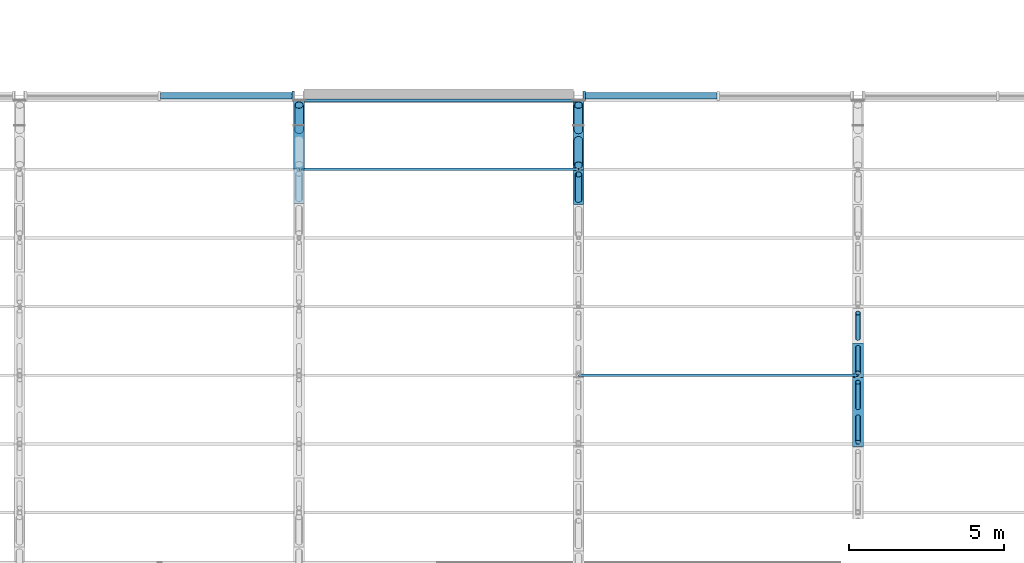
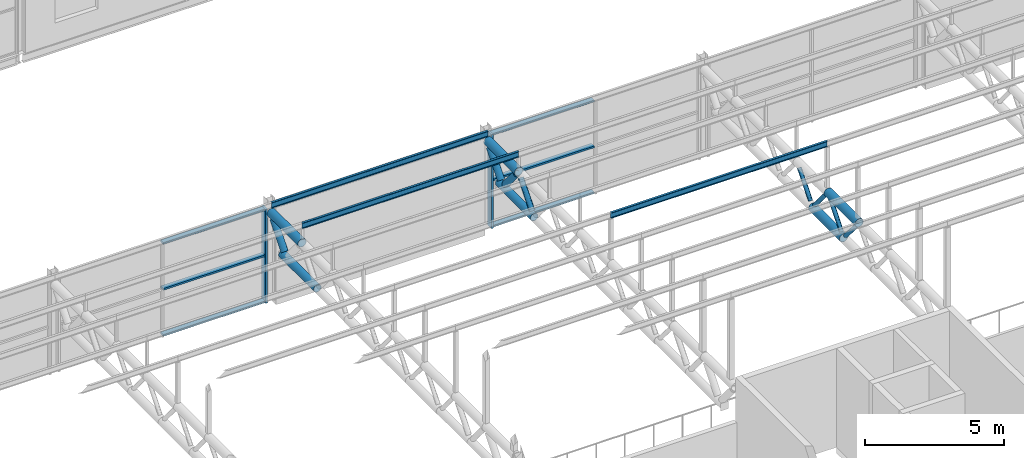
# One storey, part 36 of 138: 25 members, 2 elements without a shape of their own.
"""IFC4 building model written with IfcOpenShell, lengths in metres."""

from ifc_helpers import new_model, si_unit, direction, frame, origin, origin_2d, place, context, subcontext, project, spatial, rectangle, hollow_circle, i_section, extrude, material, layer, layer_set, material_profile, profile_set, type_object, element, aggregate, save


model = new_model("IFC4")

# Units and contexts
model_context = context("Model", 3, precision=1e-05, world=origin(), true_north=direction((0.0, 1.0)))
body_context = subcontext(model_context, "Body", "Model", "MODEL_VIEW")
ifc_project = project(units=[si_unit("LENGTHUNIT", "METRE"), si_unit("AREAUNIT", "SQUARE_METRE"), si_unit("VOLUMEUNIT", "CUBIC_METRE"), si_unit("PLANEANGLEUNIT", "RADIAN"), si_unit("MASSUNIT", "GRAM", prefix="KILO")], contexts=[model_context])

# Site, building, storey
site_placement = place(None, origin())
site = spatial("IfcSite", under=ifc_project, at=site_placement, CompositionType="ELEMENT")
building_placement = place(site_placement, origin())
building = spatial("IfcBuilding", under=site, at=building_placement, Name="Corbel Yard City Hall", CompositionType="ELEMENT")
storey_placement = place(building_placement, frame((0.0, 0.0, 10.5)))
storey = spatial("IfcBuildingStorey", under=building, at=storey_placement, Name="L02", CompositionType="ELEMENT", Elevation=10.5)

# Members
ifc_material_1 = material(Name="Steel Grade 300 (300 MPa yield)", Category="steel")
ifc_material_profile_1 = material_profile(ifc_material_1, i_section(OverallWidth=0.090087890625, OverallDepth=0.25, WebThickness=0.008056640625, FlangeThickness=0.014892578125, at=origin_2d()), Name="250PFC")
ifc_profile_set_1 = profile_set([ifc_material_profile_1], Name="Steel Grade 300 (300 MPa yield)")
member_type_1 = type_object("IfcMemberType", Name="Eaves purlin 250PFC", PredefinedType="PURLIN", material=ifc_profile_set_1)
member_1_placement = place(storey_placement, frame((36.0, 26.847412109375, 4.24658203125), z_axis=(1.0, 0.0, 0.0), x_axis=(0.0, 1.0, 0.0)))
element("IfcMember", 1, at=member_1_placement, inside=storey, type_object=member_type_1, Name="Eaves purlin 250PFC PU2", PredefinedType="PURLIN", context=body_context, shape_type="SweptSolid", body=[
    extrude(i_section(OverallWidth=0.090087890625, OverallDepth=0.25, WebThickness=0.008056640625, FlangeThickness=0.014892578125, at=origin_2d()), origin(), (0.0, 0.0, 1.0), 9.0),
])
ifc_material_2 = material(Name="Steel Grade C350L0", Category="steel")
ifc_material_profile_2 = material_profile(ifc_material_2, hollow_circle(Radius=0.161865234375, WallThickness=0.0126953125, at=origin_2d()), Name="323.9x12.7CHS")
ifc_profile_set_2 = profile_set([ifc_material_profile_2], Name="Steel Grade C350L0")
member_type_2 = type_object("IfcMemberType", Name="Hall roof truss bottom chord 323.9x12.7CHS", PredefinedType="CHORD", material=ifc_profile_set_2)
member_2_placement = place(storey_placement, frame((36.0, 23.52978515625, 2.59228515625), z_axis=(0.0, 1.0, 0.0), x_axis=(-1.0, 0.0, 0.0)))
element("IfcMember", 2, at=member_2_placement, inside=storey, type_object=member_type_2, Name="Hall roof truss bottom chord 323.9x12.7CHS TC2", PredefinedType="CHORD", context=body_context, shape_type="SweptSolid", body=[
    extrude(hollow_circle(Radius=0.161865234375, WallThickness=0.0126953125, at=origin_2d()), origin(), (0.0, 0.0, 1.0), 2.51171875),
])
member_3_placement = place(storey_placement, frame((45.0, 23.5009765625, 2.59228515625), z_axis=(0.0, 1.0, 0.0), x_axis=(-1.0, 0.0, 0.0)))
element("IfcMember", 3, at=member_3_placement, inside=storey, type_object=member_type_2, Name="Hall roof truss bottom chord 323.9x12.7CHS TC2", PredefinedType="CHORD", context=body_context, shape_type="SweptSolid", body=[
    extrude(hollow_circle(Radius=0.161865234375, WallThickness=0.0126953125, at=origin_2d()), origin(), (0.0, 0.0, 1.0), 2.531005859375),
])
ifc_material_profile_3 = material_profile(ifc_material_2, hollow_circle(Radius=0.177734375, WallThickness=0.0126953125, at=origin_2d()), Name="355.6x12.7CHS")
ifc_profile_set_3 = profile_set([ifc_material_profile_3], Name="Steel Grade C350L0")
member_type_3 = type_object("IfcMemberType", Name="Hall roof truss bottom chord 355.6x12.7CHS", PredefinedType="CHORD", material=ifc_profile_set_3)
member_4_placement = place(storey_placement, frame((54.0, 16.808349609375, 2.59228515625), z_axis=(0.0, 1.0, 0.0), x_axis=(-1.0, 0.0, 0.0)))
element("IfcMember", 4, at=member_4_placement, inside=storey, type_object=member_type_3, Name="Hall roof truss bottom chord 355.6x12.7CHS TC3", PredefinedType="CHORD", context=body_context, shape_type="SweptSolid", body=[
    extrude(hollow_circle(Radius=0.177734375, WallThickness=0.0126953125, at=origin_2d()), origin(), (0.0, 0.0, 1.0), 2.23095703125),
])
ifc_material_profile_4 = material_profile(ifc_material_2, hollow_circle(Radius=0.084228515625, WallThickness=0.007080078125, at=origin_2d()), Name="168.3x7.1CHS")
ifc_profile_set_4 = profile_set([ifc_material_profile_4], Name="Steel Grade C350L0")
member_type_4 = type_object("IfcMemberType", Name="Hall roof truss diagonal 168.3x7.1CHS", PredefinedType="STRUT", material=ifc_profile_set_4)
for number, where, z_axis, x_axis, name in (
    (5, (54.0, 15.842041015625, 3.744384765625), (0.0, 0.64257954038, -0.766218985855), (-1.0, 0.0, 0.0), "Hall roof truss diagonal 168.3x7.1CHS TD3"),
    (6, (54.0, 16.95751953125, 2.77001953125), (0.0, 0.64257954038, 0.766218985855), (-1.0, 0.0, 0.0), "Hall roof truss diagonal 168.3x7.1CHS TD3"),
    (7, (54.0, 18.07275390625, 3.744384765625), (0.0, 0.642692233301, -0.766124463292), (-1.0, 0.0, 0.0), "Hall roof truss diagonal 168.3x7.1CHS TD3"),
    (8, (54.0, 19.188232421875, 2.77001953125), (0.0, 0.642692233301, 0.766124463292), (-1.0, 0.0, 0.0), "Hall roof truss diagonal 168.3x7.1CHS TD3"),
):
    element("IfcMember", number, at=place(storey_placement, frame(where, z_axis=z_axis, x_axis=x_axis)), inside=storey, type_object=member_type_4, Name=name, PredefinedType="STRUT", context=body_context, shape_type="SweptSolid", body=[
        extrude(hollow_circle(Radius=0.084228515625, WallThickness=0.007080078125, at=origin_2d()), origin(), (0.0, 0.0, 1.0), 1.271728515625),
    ])
ifc_material_profile_5 = material_profile(ifc_material_2, hollow_circle(Radius=0.109619140625, WallThickness=0.00830078125, at=origin_2d()), Name="219.1x8.2CHS")
ifc_profile_set_5 = profile_set([ifc_material_profile_5], Name="Steel Grade C350L0")
member_type_5 = type_object("IfcMemberType", Name="Hall roof truss diagonal 219.1x8.2CHS", PredefinedType="STRUT", material=ifc_profile_set_5)
member_5_placement = place(storey_placement, frame((45.0, 23.650146484375, 2.77001953125), z_axis=(0.0, 0.642692233301, 0.766124463292), x_axis=(-1.0, 0.0, 0.0)))
element("IfcMember", 9, at=member_5_placement, inside=storey, type_object=member_type_5, Name="Hall roof truss diagonal 219.1x8.2CHS TD2", PredefinedType="STRUT", context=body_context, shape_type="SweptSolid", body=[
    extrude(hollow_circle(Radius=0.109619140625, WallThickness=0.00830078125, at=origin_2d()), origin(), (0.0, 0.0, 1.0), 1.271728515625),
])
ifc_material_profile_6 = material_profile(ifc_material_2, hollow_circle(Radius=0.136474609375, WallThickness=0.00927734375, at=origin_2d()), Name="273.1x9.3CHS")
ifc_profile_set_6 = profile_set([ifc_material_profile_6], Name="Steel Grade C350L0")
member_type_6 = type_object("IfcMemberType", Name="Hall roof truss diagonal 273.1x9.3CHS", PredefinedType="STRUT", material=ifc_profile_set_6)
member_6_placement = place(storey_placement, frame((36.0, 25.889404296875, 2.77001953125), z_axis=(0.0, 0.639407153698, 0.768868318894), x_axis=(-1.0, 0.0, 0.0)))
element("IfcMember", 10, at=member_6_placement, inside=storey, type_object=member_type_6, Name="Hall roof truss diagonal 273.1x9.3CHS TD1", PredefinedType="STRUT", context=body_context, shape_type="SweptSolid", body=[
    extrude(hollow_circle(Radius=0.136474609375, WallThickness=0.00927734375, at=origin_2d()), origin(), (0.0, 0.0, 1.0), 1.267333984375),
])
for number, where, z_axis, x_axis, name in (
    (11, (45.0, 24.765625, 3.744384765625), (0.0, 0.642692233301, -0.766124463292), (-1.0, 0.0, 0.0), "Hall roof truss diagonal 273.1x9.3CHS TD1"),
    (12, (45.0, 25.881103515625, 2.77001953125), (0.0, 0.642692233301, 0.766124463292), (-1.0, 0.0, 0.0), "Hall roof truss diagonal 273.1x9.3CHS TD1"),
):
    element("IfcMember", number, at=place(storey_placement, frame(where, z_axis=z_axis, x_axis=x_axis)), inside=storey, type_object=member_type_6, Name=name, PredefinedType="STRUT", context=body_context, shape_type="SweptSolid", body=[
        extrude(hollow_circle(Radius=0.136474609375, WallThickness=0.00927734375, at=origin_2d()), origin(), (0.0, 0.0, 1.0), 1.271728515625),
    ])
ifc_material_profile_7 = material_profile(ifc_material_2, hollow_circle(Radius=0.177734375, WallThickness=0.0126953125, at=origin_2d()), Name="355.6x12.7CHS")
ifc_profile_set_7 = profile_set([ifc_material_profile_7], Name="Steel Grade C350L0")
member_type_7 = type_object("IfcMemberType", Name="Hall roof truss top chord 355.6x12.7CHS", PredefinedType="CHORD", material=ifc_profile_set_7)
member_7_placement = place(storey_placement, frame((36.0, 24.6357421875, 3.922119140625), z_axis=(0.0, 1.0, 0.0), x_axis=(-1.0, 0.0, 0.0)))
element("IfcMember", 13, at=member_7_placement, inside=storey, type_object=member_type_7, Name="Hall roof truss top chord 355.6x12.7CHS TC1", PredefinedType="CHORD", context=body_context, shape_type="SweptSolid", body=[
    extrude(hollow_circle(Radius=0.177734375, WallThickness=0.0126953125, at=origin_2d()), origin(), (0.0, 0.0, 1.0), 2.211669921875),
])
for number, where, z_axis, x_axis, name in (
    (14, (45.0, 24.616455078125, 3.922119140625), (0.0, 1.0, 0.0), (-1.0, 0.0, 0.0), "Hall roof truss top chord 355.6x12.7CHS TC1"),
    (15, (54.0, 15.69287109375, 3.922119140625), (0.0, 1.0, 0.0), (-1.0, 0.0, 0.0), "Hall roof truss top chord 355.6x12.7CHS TC1"),
):
    element("IfcMember", number, at=place(storey_placement, frame(where, z_axis=z_axis, x_axis=x_axis)), inside=storey, type_object=member_type_7, Name=name, PredefinedType="CHORD", context=body_context, shape_type="SweptSolid", body=[
        extrude(hollow_circle(Radius=0.177734375, WallThickness=0.0126953125, at=origin_2d()), origin(), (0.0, 0.0, 1.0), 2.23095703125),
    ])

# Curtain wall, member
ifc_material_3 = material(Name="Aluminium extrusion", Category="aluminium")
ifc_layer = layer(ifc_material_3, 0.300048828125)
ifc_layer_set = layer_set([ifc_layer], Name="Aluminium extrusion")
curtain_wall_type = type_object("IfcCurtainWallType", Name="CW7", PredefinedType="USERDEFINED", material=ifc_layer_set)
curtain_wall_1_placement = place(storey_placement, origin())
curtain_wall_1 = element("IfcCurtainWall", 16, at=curtain_wall_1_placement, inside=storey, type_object=curtain_wall_type, Name="Curtain wall CW7 L02", ObjectType="CURTAIN WALL", PredefinedType="USERDEFINED")
ifc_material_profile_8 = material_profile(ifc_material_3, rectangle(XDim=0.300048828125, YDim=0.080078125, at=origin_2d()), Name="300x80")
ifc_profile_set_8 = profile_set([ifc_material_profile_8], Name="Aluminium extrusion")
member_type_8 = type_object("IfcMemberType", Name="ML7", PredefinedType="MULLION", material=ifc_profile_set_8)
member_8_placement = place(storey_placement, frame((35.805908203125, 27.0, 0.0), z_axis=(0.0, 0.0, 1.0), x_axis=(0.0, 1.0, 0.0)))
member_8 = element("IfcMember", 17, at=member_8_placement, type_object=member_type_8, Name="CW7 mullion 3", PredefinedType="MULLION", context=body_context, shape_type="SweptSolid", body=[
    extrude(rectangle(XDim=0.300048828125, YDim=0.080078125, at=origin_2d()), origin(), (0.0, 0.0, 1.0), 4.12158203125),
])

curtain_wall_2_placement = place(storey_placement, origin())
curtain_wall_2 = element("IfcCurtainWall", 18, at=curtain_wall_2_placement, inside=storey, type_object=curtain_wall_type, Name="Curtain wall CW7 L02", ObjectType="CURTAIN WALL", PredefinedType="USERDEFINED")
member_9_placement = place(storey_placement, frame((45.194091796875, 27.0, 0.0), z_axis=(0.0, 0.0, 1.0), x_axis=(0.0, 1.0, 0.0)))
member_9 = element("IfcMember", 19, at=member_9_placement, type_object=member_type_8, Name="CW7 mullion 1", PredefinedType="MULLION", context=body_context, shape_type="SweptSolid", body=[
    extrude(rectangle(XDim=0.300048828125, YDim=0.080078125, at=origin_2d()), origin(), (0.0, 0.0, 1.0), 4.12158203125),
])

# Members
ifc_material_profile_9 = material_profile(ifc_material_1, i_section(OverallWidth=0.090087890625, OverallDepth=0.25, WebThickness=0.008056640625, FlangeThickness=0.014892578125, at=origin_2d()), Name="250PFC")
ifc_profile_set_9 = profile_set([ifc_material_profile_9], Name="Steel Grade 300 (300 MPa yield)")
member_type_9 = type_object("IfcMemberType", Name="Purlin 250PFC", PredefinedType="PURLIN", material=ifc_profile_set_9)
for number, where, z_axis, x_axis, name in (
    (20, (36.0, 24.6357421875, 4.68896484375), (1.0, 0.0, 0.0), (0.0, 1.0, 0.0), "Purlin 250PFC PU1"),
    (21, (45.0, 18.0, 6.01611328125), (1.0, 0.0, 0.0), (0.0, 1.0, 0.0), "Purlin 250PFC PU1"),
):
    element("IfcMember", number, at=place(storey_placement, frame(where, z_axis=z_axis, x_axis=x_axis)), inside=storey, type_object=member_type_9, Name=name, PredefinedType="PURLIN", context=body_context, shape_type="SweptSolid", body=[
        extrude(i_section(OverallWidth=0.090087890625, OverallDepth=0.25, WebThickness=0.008056640625, FlangeThickness=0.014892578125, at=origin_2d()), origin(), (0.0, 0.0, 1.0), 9.0),
    ])

# Member
ifc_material_profile_10 = material_profile(ifc_material_3, rectangle(XDim=0.199951171875, YDim=0.080078125, at=origin_2d()), Name="200x80")
ifc_profile_set_10 = profile_set([ifc_material_profile_10], Name="Aluminium extrusion")
member_type_10 = type_object("IfcMemberType", Name="TR7", PredefinedType="USERDEFINED", material=ifc_profile_set_10)
member_10_placement = place(storey_placement, frame((31.5400390625, 27.0, 0.0400390625), z_axis=(1.0, 0.0, 0.0), x_axis=(0.0, 1.0, 0.0)))
member_10 = element("IfcMember", 22, at=member_10_placement, type_object=member_type_10, Name="CW7 transom 2.1", ObjectType="TRANSOM", PredefinedType="USERDEFINED", context=body_context, shape_type="SweptSolid", body=[
    extrude(rectangle(XDim=0.199951171875, YDim=0.080078125, at=origin_2d()), origin(), (0.0, 0.0, 1.0), 4.22607421875),
])

member_11_placement = place(storey_placement, frame((31.5400390625, 27.0, 2.060791015625), z_axis=(1.0, 0.0, 0.0), x_axis=(0.0, 1.0, 0.0)))
member_11 = element("IfcMember", 23, at=member_11_placement, type_object=member_type_10, Name="CW7 transom 2.2", ObjectType="TRANSOM", PredefinedType="USERDEFINED", context=body_context, shape_type="SweptSolid", body=[
    extrude(rectangle(XDim=0.199951171875, YDim=0.080078125, at=origin_2d()), origin(), (0.0, 0.0, 1.0), 4.22607421875),
])

member_12_placement = place(storey_placement, frame((31.5400390625, 27.0, 4.08154296875), z_axis=(1.0, 0.0, 0.0), x_axis=(0.0, 1.0, 0.0)))
member_12 = element("IfcMember", 24, at=member_12_placement, type_object=member_type_10, Name="CW7 transom 2.3", ObjectType="TRANSOM", PredefinedType="USERDEFINED", context=body_context, shape_type="SweptSolid", body=[
    extrude(rectangle(XDim=0.199951171875, YDim=0.080078125, at=origin_2d()), origin(), (0.0, 0.0, 1.0), 4.22607421875),
])

aggregate(curtain_wall_1, [member_8, member_10, member_11, member_12])

member_13_placement = place(storey_placement, frame((45.23388671875, 27.0, 0.0400390625), z_axis=(1.0, 0.0, 0.0), x_axis=(0.0, 1.0, 0.0)))
member_13 = element("IfcMember", 25, at=member_13_placement, type_object=member_type_10, Name="CW7 transom 1.1", ObjectType="TRANSOM", PredefinedType="USERDEFINED", context=body_context, shape_type="SweptSolid", body=[
    extrude(rectangle(XDim=0.199951171875, YDim=0.080078125, at=origin_2d()), origin(), (0.0, 0.0, 1.0), 4.22607421875),
])

member_14_placement = place(storey_placement, frame((45.23388671875, 27.0, 2.060791015625), z_axis=(1.0, 0.0, 0.0), x_axis=(0.0, 1.0, 0.0)))
member_14 = element("IfcMember", 26, at=member_14_placement, type_object=member_type_10, Name="CW7 transom 1.2", ObjectType="TRANSOM", PredefinedType="USERDEFINED", context=body_context, shape_type="SweptSolid", body=[
    extrude(rectangle(XDim=0.199951171875, YDim=0.080078125, at=origin_2d()), origin(), (0.0, 0.0, 1.0), 4.22607421875),
])

member_15_placement = place(storey_placement, frame((45.23388671875, 27.0, 4.08154296875), z_axis=(1.0, 0.0, 0.0), x_axis=(0.0, 1.0, 0.0)))
member_15 = element("IfcMember", 27, at=member_15_placement, type_object=member_type_10, Name="CW7 transom 1.3", ObjectType="TRANSOM", PredefinedType="USERDEFINED", context=body_context, shape_type="SweptSolid", body=[
    extrude(rectangle(XDim=0.199951171875, YDim=0.080078125, at=origin_2d()), origin(), (0.0, 0.0, 1.0), 4.22607421875),
])

aggregate(curtain_wall_2, [member_9, member_13, member_14, member_15])

save(model, "model.ifc")
